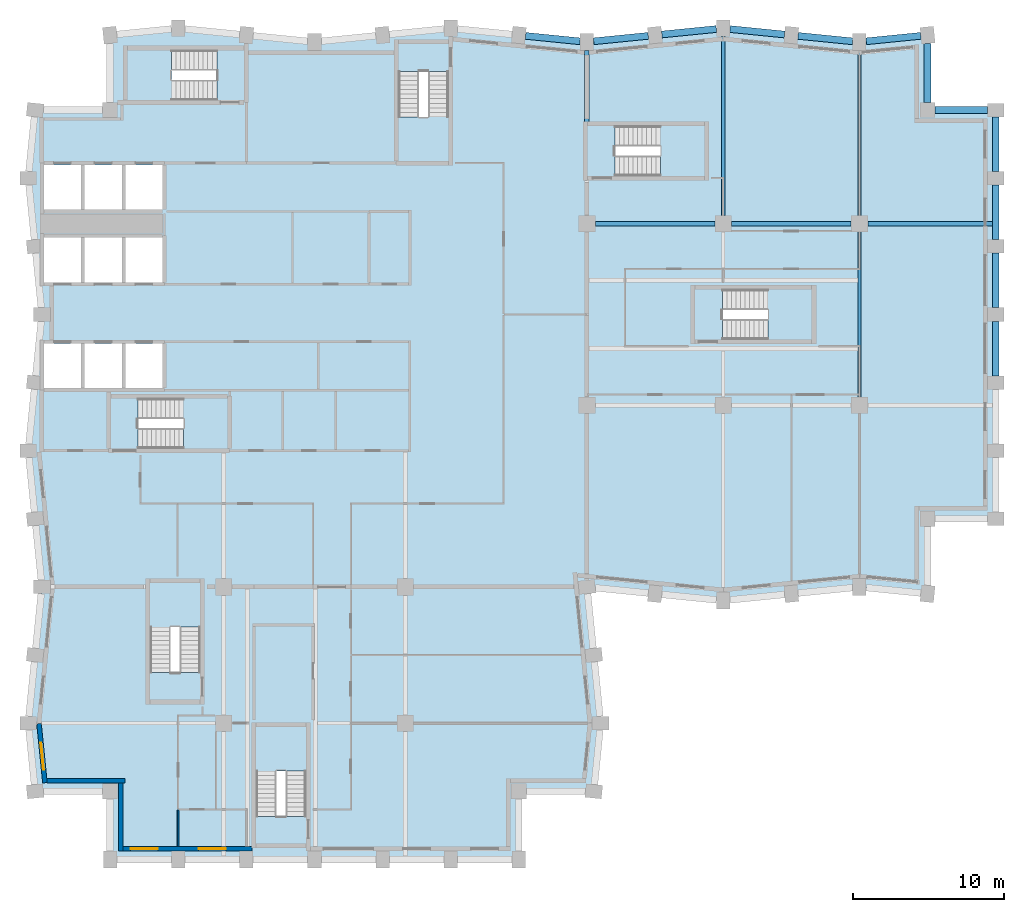
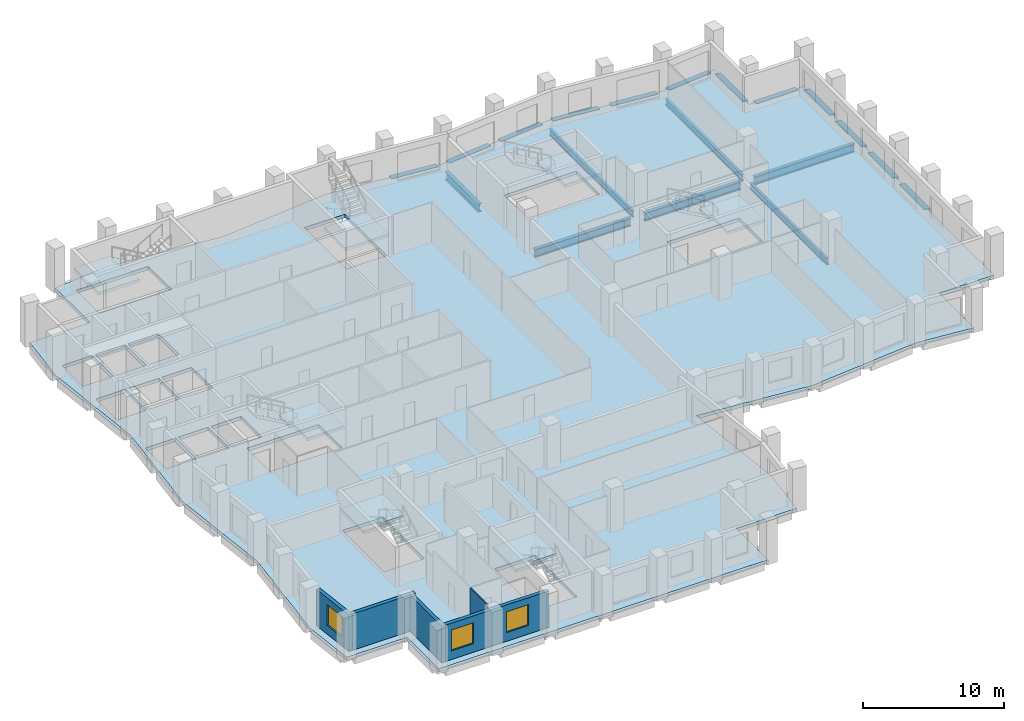
# One storey, part 2 of 10: 19 beams, 8 slabs, 5 walls, 3 windows, 3 openings, 7 elements without a shape of their own.
"""IFC4 building model written with IfcOpenShell, lengths in metres."""

from ifc_helpers import new_model, si_unit, direction, frame, frame_2d, origin, origin_2d, place, context, subcontext, project, spatial, polyline, rectangle, i_section, outline, extrude, material, layer, layer_set, material_profile, profile_set, type_object, element, fill, aggregate, save


model = new_model("IFC4")

# Units and contexts
model_context = context("Model", 3, precision=1e-05, world=origin(), true_north=direction((0.0, 1.0)))
body_context = subcontext(model_context, "Body", "Model", "MODEL_VIEW")
ifc_project = project(units=[si_unit("LENGTHUNIT", "METRE"), si_unit("AREAUNIT", "SQUARE_METRE"), si_unit("VOLUMEUNIT", "CUBIC_METRE"), si_unit("PLANEANGLEUNIT", "RADIAN"), si_unit("MASSUNIT", "GRAM", prefix="KILO")], contexts=[model_context])

# Site, building, storey
site_placement = place(None, origin())
site = spatial("IfcSite", under=ifc_project, at=site_placement, CompositionType="ELEMENT")
building_placement = place(site_placement, origin())
building = spatial("IfcBuilding", under=site, at=building_placement, Name="Brondeck Convention Tower", CompositionType="ELEMENT")
storey_placement = place(building_placement, frame((0.0, 0.0, 158.60009765625)))
storey = spatial("IfcBuildingStorey", under=building, at=storey_placement, Name="L38", CompositionType="ELEMENT", Elevation=158.60009765625)

# Beams
ifc_material_1 = material(Name="Steel S355", Category="steel")
ifc_material_profile_1 = material_profile(ifc_material_1, i_section(OverallWidth=0.2099609375, OverallDepth=0.550048828125, WebThickness=0.010986328125, FlangeThickness=0.01708984375, FilletRadius=0.02392578125, at=origin_2d()), Name="IPE 550")
ifc_profile_set_1 = profile_set([ifc_material_profile_1], Name="Steel S355")
beam_type_1 = type_object("IfcBeamType", Name="Floor beam IPE 550", PredefinedType="BEAM", material=ifc_profile_set_1)
beam_1_placement = place(storey_placement, frame((45.0, 51.550048828125, -0.5751953125), z_axis=(0.0, 1.0, 0.0), x_axis=(-1.0, 0.0, 0.0)))
element("IfcBeam", 1, at=beam_1_placement, inside=storey, type_object=beam_type_1, Name="STR-FB-L38-002", PredefinedType="BEAM", context=body_context, shape_type="SweptSolid", body=[
    extrude(i_section(OverallWidth=0.2099609375, OverallDepth=0.550048828125, WebThickness=0.010986328125, FlangeThickness=0.01708984375, FilletRadius=0.02392578125, at=origin_2d()), origin(), (0.0, 0.0, 1.0), 11.800048828125),
])
for number, where, z_axis, x_axis, name in (
    (2, (54.0, 39.550048828125, -0.5751953125), (0.0, 1.0, 0.0), (-1.0, 0.0, 0.0), "STR-FB-L38-004"),
    (3, (54.0, 51.550048828125, -0.5751953125), (0.0, 1.0, 0.0), (-1.0, 0.0, 0.0), "STR-FB-L38-005"),
):
    element("IfcBeam", number, at=place(storey_placement, frame(where, z_axis=z_axis, x_axis=x_axis)), inside=storey, type_object=beam_type_1, Name=name, PredefinedType="BEAM", context=body_context, shape_type="SweptSolid", body=[
        extrude(i_section(OverallWidth=0.2099609375, OverallDepth=0.550048828125, WebThickness=0.010986328125, FlangeThickness=0.01708984375, FilletRadius=0.02392578125, at=origin_2d()), origin(), (0.0, 0.0, 1.0), 10.89990234375),
    ])
ifc_material_profile_2 = material_profile(ifc_material_1, i_section(OverallWidth=0.300048828125, OverallDepth=0.699951171875, WebThickness=0.01708984375, FlangeThickness=0.031982421875, FilletRadius=0.027099609375, at=origin_2d()), Name="HEB 700")
ifc_profile_set_2 = profile_set([ifc_material_profile_2], Name="Steel S355")
beam_type_2 = type_object("IfcBeamType", Name="Girder HEB 700", PredefinedType="BEAM", material=ifc_profile_set_2)
for number, where, z_axis, x_axis, name in (
    (4, (36.550048828125, 51.0, -0.650146484375), (1.0, 0.0, 0.0), (0.0, 1.0, 0.0), "STR-GR-L38-004"),
    (5, (45.550048828125, 51.0, -0.650146484375), (1.0, 0.0, 0.0), (0.0, 1.0, 0.0), "STR-GR-L38-005"),
):
    element("IfcBeam", number, at=place(storey_placement, frame(where, z_axis=z_axis, x_axis=x_axis)), inside=storey, type_object=beam_type_2, Name=name, PredefinedType="BEAM", context=body_context, shape_type="SweptSolid", body=[
        extrude(i_section(OverallWidth=0.300048828125, OverallDepth=0.699951171875, WebThickness=0.01708984375, FlangeThickness=0.031982421875, FilletRadius=0.027099609375, at=origin_2d()), origin(), (0.0, 0.0, 1.0), 7.89990234375),
    ])
beam_2_placement = place(storey_placement, frame((54.550048828125, 51.0, -0.650146484375), z_axis=(1.0, 0.0, 0.0), x_axis=(0.0, 1.0, 0.0)))
element("IfcBeam", 6, at=beam_2_placement, inside=storey, type_object=beam_type_2, Name="STR-GR-L38-006", PredefinedType="BEAM", context=body_context, shape_type="SweptSolid", body=[
    extrude(i_section(OverallWidth=0.300048828125, OverallDepth=0.699951171875, WebThickness=0.01708984375, FlangeThickness=0.031982421875, FilletRadius=0.027099609375, at=origin_2d()), origin(), (0.0, 0.0, 1.0), 8.224853515625),
])
beam_3_placement = place(storey_placement, frame((36.0, 57.719970703125, -0.650146484375), z_axis=(0.0, 1.0, 0.0), x_axis=(-1.0, 0.0, 0.0)))
element("IfcBeam", 7, at=beam_3_placement, inside=storey, type_object=beam_type_2, Name="STR-GR-L38-010", PredefinedType="BEAM", context=body_context, shape_type="SweptSolid", body=[
    extrude(i_section(OverallWidth=0.300048828125, OverallDepth=0.699951171875, WebThickness=0.01708984375, FlangeThickness=0.031982421875, FilletRadius=0.027099609375, at=origin_2d()), origin(), (0.0, 0.0, 1.0), 4.72998046875),
])
ifc_material_2 = material(Name="Concrete C70/85", Category="concrete")
ifc_material_profile_3 = material_profile(ifc_material_2, rectangle(XDim=0.449951171875, YDim=0.64990234375, at=origin_2d()), Name="Precast spandrel 450x650 Concrete C70/85")
ifc_profile_set_3 = profile_set([ifc_material_profile_3], Name="Concrete C70/85")
beam_type_3 = type_object("IfcBeamType", Name="Precast spandrel 450x650 Concrete C70/85", PredefinedType="SPANDREL", material=ifc_profile_set_3)
for number, where, z_axis, x_axis, name in (
    (8, (63.0, 40.949951171875, -0.3251953125), (0.0, 1.0, 0.0), (-1.0, 0.0, 0.0), "STR-SP-L38-021"),
    (9, (63.0, 45.449951171875, -0.3251953125), (0.0, 1.0, 0.0), (-1.0, 0.0, 0.0), "STR-SP-L38-022"),
    (10, (63.0, 49.949951171875, -0.3251953125), (0.0, 1.0, 0.0), (-1.0, 0.0, 0.0), "STR-SP-L38-023"),
    (11, (63.0, 54.449951171875, -0.3251953125), (0.0, 1.0, 0.0), (-1.0, 0.0, 0.0), "STR-SP-L38-024"),
):
    element("IfcBeam", number, at=place(storey_placement, frame(where, z_axis=z_axis, x_axis=x_axis)), inside=storey, type_object=beam_type_3, Name=name, PredefinedType="SPANDREL", context=body_context, shape_type="SweptSolid", body=[
        extrude(rectangle(XDim=0.449951171875, YDim=0.64990234375, at=origin_2d()), origin(), (0.0, 0.0, 1.0), 3.60009765625),
    ])
beam_4_placement = place(storey_placement, frame((62.449951171875, 58.5, -0.3251953125), z_axis=(-1.0, 0.0, 0.0), x_axis=(0.0, -1.0, 0.0)))
element("IfcBeam", 12, at=beam_4_placement, inside=storey, type_object=beam_type_3, Name="STR-SP-L38-025", PredefinedType="SPANDREL", context=body_context, shape_type="SweptSolid", body=[
    extrude(rectangle(XDim=0.449951171875, YDim=0.64990234375, at=origin_2d()), origin(), (0.0, 0.0, 1.0), 3.449951171875),
])
beam_5_placement = place(storey_placement, frame((58.5, 59.0, -0.3251953125), z_axis=(0.0, 1.0, 0.0), x_axis=(-1.0, 0.0, 0.0)))
element("IfcBeam", 13, at=beam_5_placement, inside=storey, type_object=beam_type_3, Name="STR-SP-L38-026", PredefinedType="SPANDREL", context=body_context, shape_type="SweptSolid", body=[
    extrude(rectangle(XDim=0.449951171875, YDim=0.64990234375, at=origin_2d()), origin(), (0.0, 0.0, 1.0), 3.897216796875),
])
for number, where, z_axis, x_axis, name in (
    (14, (58.05224609375, 63.4052734375, -0.3251953125), (-0.995033851182, -0.099537103649, 0.0), (0.099537103649, -0.995033851182, 0.0), "STR-SP-L38-027"),
    (15, (53.550048828125, 63.044921875, -0.3251953125), (-0.995033851182, 0.099537103649, 0.0), (-0.099537103649, -0.995033851182, 0.0), "STR-SP-L38-028"),
    (16, (49.05224609375, 63.494873046875, -0.3251953125), (-0.995040528141, 0.099470334057, 0.0), (-0.099470334057, -0.995040528141, 0.0), "STR-SP-L38-029"),
    (17, (44.550048828125, 63.85498046875, -0.3251953125), (-0.995040528141, -0.099470334057, 0.0), (0.099470334057, -0.995040528141, 0.0), "STR-SP-L38-030"),
    (18, (40.05224609375, 63.4052734375, -0.3251953125), (-0.995033851182, -0.099537103649, 0.0), (0.099537103649, -0.995033851182, 0.0), "STR-SP-L38-031"),
    (19, (35.550048828125, 63.044921875, -0.3251953125), (-0.995033851182, 0.099537103649, 0.0), (-0.099537103649, -0.995033851182, 0.0), "STR-SP-L38-032"),
):
    element("IfcBeam", number, at=place(storey_placement, frame(where, z_axis=z_axis, x_axis=x_axis)), inside=storey, type_object=beam_type_3, Name=name, PredefinedType="SPANDREL", context=body_context, shape_type="SweptSolid", body=[
        extrude(rectangle(XDim=0.449951171875, YDim=0.64990234375, at=origin_2d()), origin(), (0.0, 0.0, 1.0), 3.620361328125),
    ])

# Slab
ifc_material_3 = material(Name="Concrete C35/45", Category="concrete")
ifc_layer_1 = layer(ifc_material_3, 0.300048828125)
ifc_layer_set_1 = layer_set([ifc_layer_1], Name="Composite floor slab 300")
slab_type_1 = type_object("IfcSlabType", Name="Composite floor slab 300", PredefinedType="FLOOR", material=ifc_layer_set_1)
slab_1_placement = place(storey_placement, frame((0.0, 0.0, -0.300048828125)))
element("IfcSlab", 20, at=slab_1_placement, inside=storey, type_object=slab_type_1, Name="STR-SL-L38", PredefinedType="FLOOR", context=body_context, shape_type="SweptSolid", body=[
    extrude(outline(polyline([(4.5, 13.5), (-0.449951171875, 13.5), (-0.89990234375, 18.0), (0.0, 27.0), (-0.89990234375, 36.0), (0.0, 45.0), (-0.89990234375, 54.0), (-0.449951171875, 58.5), (4.5, 58.5), (4.5, 63.449951171875), (9.0, 63.89990234375), (18.0, 63.0), (27.0, 63.89990234375), (36.0, 63.0), (45.0, 63.89990234375), (54.0, 63.0), (58.5, 63.449951171875), (58.5, 58.5), (63.0, 58.5), (63.0, 31.5), (58.5, 31.5), (58.5, 26.550048828125), (54.0, 27.0), (45.0, 26.10009765625), (36.0, 27.0), (36.89990234375, 18.0), (36.449951171875, 13.5), (31.5, 13.5), (31.5, 9.0), (4.5, 9.0), (4.5, 13.5)]), holes=[polyline([(2.574951171875, 40.125), (2.574951171875, 43.074951171875), (0.125, 43.074951171875), (0.125, 40.125), (2.574951171875, 40.125)]), polyline([(5.27490234375, 40.125), (5.27490234375, 43.074951171875), (2.824951171875, 43.074951171875), (2.824951171875, 40.125), (5.27490234375, 40.125)]), polyline([(7.97509765625, 40.125), (7.97509765625, 43.074951171875), (5.52490234375, 43.074951171875), (5.52490234375, 40.125), (7.97509765625, 40.125)]), polyline([(2.574951171875, 47.125), (2.574951171875, 50.074951171875), (0.125, 50.074951171875), (0.125, 47.125), (2.574951171875, 47.125)]), polyline([(5.27490234375, 47.125), (5.27490234375, 50.074951171875), (2.824951171875, 50.074951171875), (2.824951171875, 47.125), (5.27490234375, 47.125)]), polyline([(7.97509765625, 47.125), (7.97509765625, 50.074951171875), (5.52490234375, 50.074951171875), (5.52490234375, 47.125), (7.97509765625, 47.125)]), polyline([(2.574951171875, 51.925048828125), (2.574951171875, 54.875), (0.125, 54.875), (0.125, 51.925048828125), (2.574951171875, 51.925048828125)]), polyline([(5.27490234375, 51.925048828125), (5.27490234375, 54.875), (2.824951171875, 54.875), (2.824951171875, 51.925048828125), (5.27490234375, 51.925048828125)]), polyline([(17.447998046875, 17.748046875), (14.152099609375, 17.748046875), (14.152099609375, 11.85205078125), (17.447998046875, 11.85205078125), (17.447998046875, 17.748046875)]), polyline([(10.447998046875, 27.248046875), (7.152099609375, 27.248046875), (7.152099609375, 21.35205078125), (10.447998046875, 21.35205078125), (10.447998046875, 27.248046875)]), polyline([(12.248046875, 36.152099609375), (12.248046875, 39.447998046875), (6.35205078125, 39.447998046875), (6.35205078125, 36.152099609375), (12.248046875, 36.152099609375)]), polyline([(50.847900390625, 43.35205078125), (50.847900390625, 46.64794921875), (44.951904296875, 46.64794921875), (44.951904296875, 43.35205078125), (50.847900390625, 43.35205078125)]), polyline([(7.97509765625, 51.925048828125), (7.97509765625, 54.875), (5.52490234375, 54.875), (5.52490234375, 51.925048828125), (7.97509765625, 51.925048828125)]), polyline([(43.748046875, 54.152099609375), (43.748046875, 57.447998046875), (37.85205078125, 57.447998046875), (37.85205078125, 54.152099609375), (43.748046875, 54.152099609375)]), polyline([(23.552001953125, 55.152099609375), (26.847900390625, 55.152099609375), (26.847900390625, 61.048095703125), (23.552001953125, 61.048095703125), (23.552001953125, 55.152099609375)]), polyline([(5.652099609375, 62.447998046875), (5.652099609375, 59.152099609375), (11.548095703125, 59.152099609375), (11.548095703125, 62.447998046875), (5.652099609375, 62.447998046875)])]), origin(), (0.0, 0.0, 1.0), 0.300048828125),
])

# Stair, slab
ifc_material_4 = material(Name="Precast concrete C50/60", Category="concrete")
stair_type = type_object("IfcStairType", Name="Core stair 22 risers 172.73 mm riser 300 mm going 1350 wide", PredefinedType="HALF_TURN_STAIR", material=ifc_material_4)
stair_1_placement = place(storey_placement, origin())
stair_1 = element("IfcStair", 21, at=stair_1_placement, inside=storey, type_object=stair_type, Name="ST-1 L38 stair", PredefinedType="HALF_TURN_STAIR")
ifc_layer_2 = layer(ifc_material_4, 0.25)
ifc_layer_set_2 = layer_set([ifc_layer_2], Name="Core stair landing 250 Precast concrete C50/60")
slab_type_2 = type_object("IfcSlabType", Name="Core stair landing 250 Precast concrete C50/60", PredefinedType="LANDING", material=ifc_layer_set_2)
slab_2_placement = place(storey_placement, frame((0.0, 0.0, 1.64990234375)))
slab_2 = element("IfcSlab", 22, at=slab_2_placement, type_object=slab_type_2, Name="ST-1 landing 1", PredefinedType="LANDING", context=body_context, shape_type="SweptSolid", body=[
    extrude(outline(polyline([(9.347900390625, 37.5), (9.35009765625, 37.5), (9.35009765625, 38.10009765625), (9.050048828125, 38.10009765625), (9.050048828125, 39.570068359375), (12.3701171875, 39.570068359375), (12.3701171875, 36.030029296875), (9.347900390625, 36.030029296875), (9.347900390625, 37.5)])), origin(), (0.0, 0.0, 1.0), 0.25),
])
aggregate(stair_1, [slab_2])

stair_2_placement = place(storey_placement, origin())
stair_2 = element("IfcStair", 23, at=stair_2_placement, inside=storey, type_object=stair_type, Name="ST-2 L38 stair", PredefinedType="HALF_TURN_STAIR")
slab_3_placement = place(storey_placement, frame((0.0, 0.0, 1.64990234375)))
slab_3 = element("IfcSlab", 24, at=slab_3_placement, type_object=slab_type_2, Name="ST-2 landing 1", PredefinedType="LANDING", context=body_context, shape_type="SweptSolid", body=[
    extrude(outline(polyline([(23.429931640625, 58.052001953125), (24.89990234375, 58.052001953125), (24.89990234375, 58.050048828125), (25.5, 58.050048828125), (25.5, 58.35009765625), (26.969970703125, 58.35009765625), (26.969970703125, 55.030029296875), (23.429931640625, 55.030029296875), (23.429931640625, 58.052001953125)])), origin(), (0.0, 0.0, 1.0), 0.25),
])
aggregate(stair_2, [slab_3])

stair_3_placement = place(storey_placement, origin())
stair_3 = element("IfcStair", 25, at=stair_3_placement, inside=storey, type_object=stair_type, Name="ST-3 L38 stair", PredefinedType="HALF_TURN_STAIR")
slab_4_placement = place(storey_placement, frame((0.0, 0.0, 1.64990234375)))
slab_4 = element("IfcSlab", 26, at=slab_4_placement, type_object=slab_type_2, Name="ST-3 landing 1", PredefinedType="LANDING", context=body_context, shape_type="SweptSolid", body=[
    extrude(outline(polyline([(8.85009765625, 60.5), (8.85009765625, 59.030029296875), (5.530029296875, 59.030029296875), (5.530029296875, 62.570068359375), (8.552001953125, 62.570068359375), (8.552001953125, 61.10009765625), (8.550048828125, 61.10009765625), (8.550048828125, 60.5), (8.85009765625, 60.5)])), origin(), (0.0, 0.0, 1.0), 0.25),
])
aggregate(stair_3, [slab_4])

stair_4_placement = place(storey_placement, origin())
stair_4 = element("IfcStair", 27, at=stair_4_placement, inside=storey, type_object=stair_type, Name="ST-AE L38 stair", PredefinedType="HALF_TURN_STAIR")
slab_5_placement = place(storey_placement, frame((0.0, 0.0, 1.64990234375)))
slab_5 = element("IfcSlab", 28, at=slab_5_placement, type_object=slab_type_2, Name="ST-AE landing 1", PredefinedType="LANDING", context=body_context, shape_type="SweptSolid", body=[
    extrude(outline(polyline([(40.847900390625, 55.5), (40.85009765625, 55.5), (40.85009765625, 56.10009765625), (40.550048828125, 56.10009765625), (40.550048828125, 57.570068359375), (43.8701171875, 57.570068359375), (43.8701171875, 54.030029296875), (40.847900390625, 54.030029296875), (40.847900390625, 55.5)])), origin(), (0.0, 0.0, 1.0), 0.25),
])
aggregate(stair_4, [slab_5])

stair_5_placement = place(storey_placement, origin())
stair_5 = element("IfcStair", 29, at=stair_5_placement, inside=storey, type_object=stair_type, Name="ST-BE L38 stair", PredefinedType="HALF_TURN_STAIR")
slab_6_placement = place(storey_placement, frame((0.0, 0.0, 1.64990234375)))
slab_6 = element("IfcSlab", 30, at=slab_6_placement, type_object=slab_type_2, Name="ST-BE landing 1", PredefinedType="LANDING", context=body_context, shape_type="SweptSolid", body=[
    extrude(outline(polyline([(7.030029296875, 24.050048828125), (7.030029296875, 27.3701171875), (10.570068359375, 27.3701171875), (10.570068359375, 24.347900390625), (9.10009765625, 24.347900390625), (9.10009765625, 24.35009765625), (8.5, 24.35009765625), (8.5, 24.050048828125), (7.030029296875, 24.050048828125)])), origin(), (0.0, 0.0, 1.0), 0.25),
])
aggregate(stair_5, [slab_6])

stair_6_placement = place(storey_placement, origin())
stair_6 = element("IfcStair", 31, at=stair_6_placement, inside=storey, type_object=stair_type, Name="ST-AF L38 stair", PredefinedType="HALF_TURN_STAIR")
slab_7_placement = place(storey_placement, frame((0.0, 0.0, 1.64990234375)))
slab_7 = element("IfcSlab", 32, at=slab_7_placement, type_object=slab_type_2, Name="ST-AF landing 1", PredefinedType="LANDING", context=body_context, shape_type="SweptSolid", body=[
    extrude(outline(polyline([(47.947998046875, 44.699951171875), (47.949951171875, 44.699951171875), (47.949951171875, 45.300048828125), (47.64990234375, 45.300048828125), (47.64990234375, 46.77001953125), (50.969970703125, 46.77001953125), (50.969970703125, 43.22998046875), (47.947998046875, 43.22998046875), (47.947998046875, 44.699951171875)])), origin(), (0.0, 0.0, 1.0), 0.25),
])
aggregate(stair_6, [slab_7])

stair_7_placement = place(storey_placement, origin())
stair_7 = element("IfcStair", 33, at=stair_7_placement, inside=storey, type_object=stair_type, Name="ST-BF L38 stair", PredefinedType="HALF_TURN_STAIR")
slab_8_placement = place(storey_placement, frame((0.0, 0.0, 1.64990234375)))
slab_8 = element("IfcSlab", 34, at=slab_8_placement, type_object=slab_type_2, Name="ST-BF landing 1", PredefinedType="LANDING", context=body_context, shape_type="SweptSolid", body=[
    extrude(outline(polyline([(14.030029296875, 14.550048828125), (14.030029296875, 17.8701171875), (17.570068359375, 17.8701171875), (17.570068359375, 14.847900390625), (16.10009765625, 14.847900390625), (16.10009765625, 14.85009765625), (15.5, 14.85009765625), (15.5, 14.550048828125), (14.030029296875, 14.550048828125)])), origin(), (0.0, 0.0, 1.0), 0.25),
])
aggregate(stair_7, [slab_8])

# Wall, openings, windows
ifc_material_5 = material(Name="Precast concrete C50/60 bronze finish", Category="concrete")
ifc_layer_3 = layer(ifc_material_5, 0.070068359375, Name="Bronze precast facing")
ifc_material_6 = material(Name="Mineral wool")
ifc_layer_4 = layer(ifc_material_6, 0.159912109375, Name="Insulation")
ifc_layer_5 = layer(ifc_material_3, 0.070068359375, Name="Backing")
ifc_layer_set_3 = layer_set([ifc_layer_3, ifc_layer_4, ifc_layer_5], Name="External infill wall, precast concrete C50/60 bronze facing")
wall_type_1 = type_object("IfcWallType", Name="External infill wall, precast concrete C50/60 bronze facing", PredefinedType="SOLIDWALL", material=ifc_layer_set_3)
wall_1_placement = place(storey_placement, frame((13.860107421875, 9.699951171875, 0.0), z_axis=(0.0, 0.0, 1.0), x_axis=(-1.0, 0.0, 0.0)))
wall_1 = element("IfcWall", 35, at=wall_1_placement, inside=storey, type_object=wall_type_1, Name="ENV-EW-L38-P1-B-S9-01", PredefinedType="SOLIDWALL", context=body_context, shape_type="SweptSolid", body=[
    extrude(rectangle(XDim=8.510009765625, YDim=0.300048828125, at=frame_2d((4.2548828125, 0.0))), origin(), (0.0, 0.0, 1.0), 3.14990234375),
])
opening_1_placement = place(wall_1_placement, frame((1.7099609375, 0.0, 0.75)))
opening_1 = element("IfcOpeningElement", 36, at=opening_1_placement, cuts=wall_1, Name="Opening W10", PredefinedType="OPENING", context=body_context, shape_type="SweptSolid", body=[
    extrude(rectangle(XDim=1.800048828125, YDim=1.800048828125, at=frame_2d((0.89990234375, 0.89990234375))), frame((0.0, 0.159912109375, 0.0), z_axis=(0.0, -1.0, 0.0), x_axis=(1.0, 0.0, 0.0)), (0.0, 0.0, 1.0), 0.320068359375),
])
opening_2_placement = place(wall_1_placement, frame((6.2099609375, 0.0, 0.75)))
opening_2 = element("IfcOpeningElement", 37, at=opening_2_placement, cuts=wall_1, Name="Opening W10", PredefinedType="OPENING", context=body_context, shape_type="SweptSolid", body=[
    extrude(rectangle(XDim=1.800048828125, YDim=1.800048828125, at=frame_2d((0.89990234375, 0.89990234375))), frame((0.0, 0.159912109375, 0.0), z_axis=(0.0, -1.0, 0.0), x_axis=(1.0, 0.0, 0.0)), (0.0, 0.0, 1.0), 0.320068359375),
])
ifc_material_7 = material(Name="Bronze tinted double glazing", Category="glass")
window_type = type_object("IfcWindowType", Name="Punched window, bronze tinted", PartitioningType="SINGLE_PANEL", PredefinedType="WINDOW", material=ifc_material_7)
window_1_placement = place(opening_1_placement, origin())
window_1 = element("IfcWindow", 38, at=window_1_placement, inside=storey, type_object=window_type, Name="ENV-WN-L38-P1-B-S9-02", OverallHeight=1.800048828125, OverallWidth=1.800048828125, PartitioningType="SINGLE_PANEL", PredefinedType="WINDOW", context=body_context, shape_type="SweptSolid", body=[
    extrude(rectangle(XDim=1.800048828125, YDim=1.800048828125, at=frame_2d((0.89990234375, 0.89990234375))), frame((0.0, 0.030029296875, 0.0), z_axis=(0.0, -1.0, 0.0), x_axis=(1.0, 0.0, 0.0)), (0.0, 0.0, 1.0), 0.06005859375),
])
fill(opening_1, window_1)
window_2_placement = place(opening_2_placement, origin())
window_2 = element("IfcWindow", 39, at=window_2_placement, inside=storey, type_object=window_type, Name="ENV-WN-L38-P1-B-S9-01", OverallHeight=1.800048828125, OverallWidth=1.800048828125, PartitioningType="SINGLE_PANEL", PredefinedType="WINDOW", context=body_context, shape_type="SweptSolid", body=[
    extrude(rectangle(XDim=1.800048828125, YDim=1.800048828125, at=frame_2d((0.89990234375, 0.89990234375))), frame((0.0, 0.030029296875, 0.0), z_axis=(0.0, -1.0, 0.0), x_axis=(1.0, 0.0, 0.0)), (0.0, 0.0, 1.0), 0.06005859375),
])
fill(opening_2, window_2)

# Wall, opening, window
wall_2_placement = place(storey_placement, frame((0.197021484375, 14.06494140625, 0.0), z_axis=(0.0, 0.0, 1.0), x_axis=(-0.099528354722, 0.995034726332, 0.0)))
wall_2 = element("IfcWall", 40, at=wall_2_placement, inside=storey, type_object=wall_type_1, Name="ENV-EW-L38-P1-B-W-10", PredefinedType="SOLIDWALL", context=body_context, shape_type="SweptSolid", body=[
    extrude(rectangle(XDim=3.9248046875, YDim=0.300048828125, at=frame_2d((1.96240234375, 0.0))), origin(), (0.0, 0.0, 1.0), 3.14990234375),
])
opening_3_placement = place(wall_2_placement, frame((0.863525390625, 0.0, 0.75)))
opening_3 = element("IfcOpeningElement", 41, at=opening_3_placement, cuts=wall_2, Name="Opening W10", PredefinedType="OPENING", context=body_context, shape_type="SweptSolid", body=[
    extrude(rectangle(XDim=1.800048828125, YDim=1.800048828125, at=frame_2d((0.89990234375, 0.89990234375))), frame((0.0, 0.159912109375, 0.0), z_axis=(0.0, -1.0, 0.0), x_axis=(1.0, 0.0, 0.0)), (0.0, 0.0, 1.0), 0.320068359375),
])
window_3_placement = place(opening_3_placement, origin())
window_3 = element("IfcWindow", 42, at=window_3_placement, inside=storey, type_object=window_type, Name="ENV-WN-L38-P1-B-W-10", OverallHeight=1.800048828125, OverallWidth=1.800048828125, PartitioningType="SINGLE_PANEL", PredefinedType="WINDOW", context=body_context, shape_type="SweptSolid", body=[
    extrude(rectangle(XDim=1.800048828125, YDim=1.800048828125, at=frame_2d((0.89990234375, 0.89990234375))), frame((0.0, 0.030029296875, 0.0), z_axis=(0.0, -1.0, 0.0), x_axis=(1.0, 0.0, 0.0)), (0.0, 0.0, 1.0), 0.06005859375),
])
fill(opening_3, window_3)

# Walls
wall_3_placement = place(storey_placement, frame((5.5, 14.199951171875, 0.0), z_axis=(0.0, 0.0, 1.0), x_axis=(-1.0, 0.0, 0.0)))
element("IfcWall", 43, at=wall_3_placement, inside=storey, type_object=wall_type_1, Name="ENV-EW-L38-P1-NC-SWB9-01", PredefinedType="SOLIDWALL", context=body_context, shape_type="SweptSolid", body=[
    extrude(rectangle(XDim=5.16455078125, YDim=0.300048828125, at=frame_2d((2.582275390625, 0.0))), origin(), (0.0, 0.0, 1.0), 3.14990234375),
])
wall_4_placement = place(storey_placement, frame((5.199951171875, 9.550048828125, 0.0), z_axis=(0.0, 0.0, 1.0), x_axis=(0.0, 1.0, 0.0)))
element("IfcWall", 44, at=wall_4_placement, inside=storey, type_object=wall_type_1, Name="ENV-EW-L38-P1-NC-SWB9-02", PredefinedType="SOLIDWALL", context=body_context, shape_type="SweptSolid", body=[
    extrude(rectangle(XDim=4.501953125, YDim=0.300048828125, at=frame_2d((2.2509765625, 0.0))), origin(), (0.0, 0.0, 1.0), 3.14990234375),
])
ifc_material_8 = material(Name="Gypsum board partition on steel studs", Category="steel")
ifc_layer_6 = layer(ifc_material_8, 0.10009765625)
ifc_layer_set_4 = layer_set([ifc_layer_6], Name="Room partition 100")
wall_type_2 = type_object("IfcWallType", Name="Room partition 100", PredefinedType="PARTITIONING", material=ifc_layer_set_4)
wall_5_placement = place(storey_placement, frame((9.0, 9.8701171875, 0.0), z_axis=(0.0, 0.0, 1.0), x_axis=(0.0, 1.0, 0.0)))
element("IfcWall", 45, at=wall_5_placement, inside=storey, type_object=wall_type_2, Name="FLR-L38-W001", PredefinedType="PARTITIONING", context=body_context, shape_type="SweptSolid", body=[
    extrude(rectangle(XDim=2.3798828125, YDim=0.10009765625, at=frame_2d((1.18994140625, 0.0))), origin(), (0.0, 0.0, 1.0), 3.47998046875),
])

save(model, "model.ifc")
